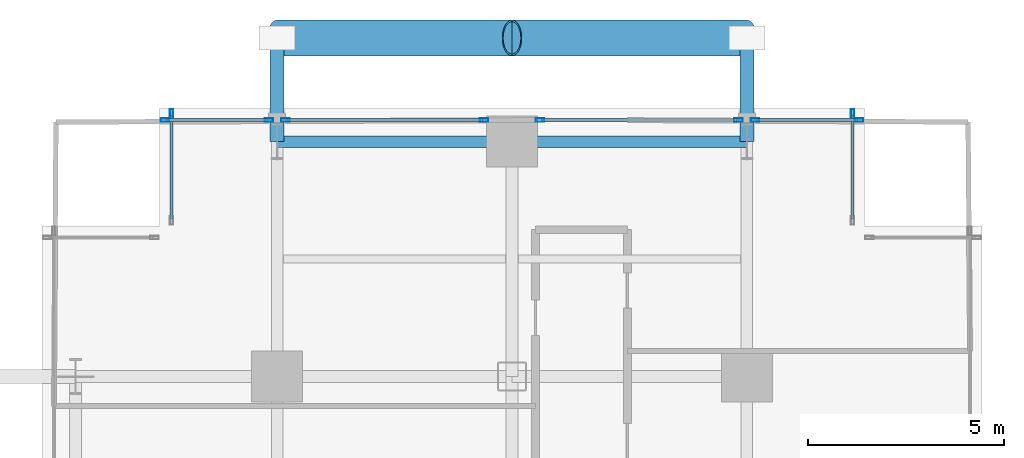
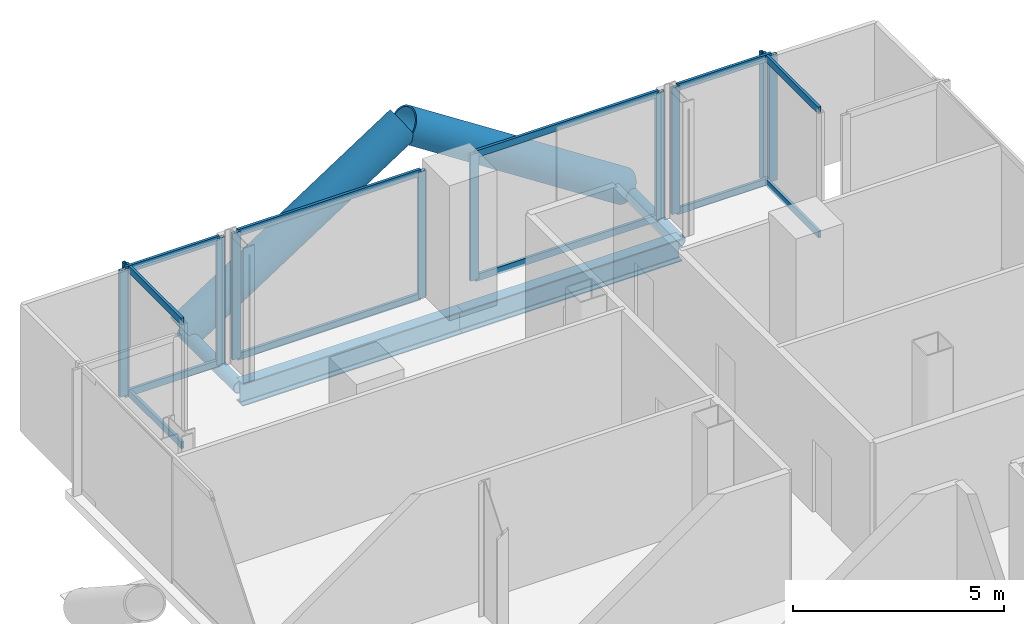
# One storey, part 16 of 25: 26 members, 2 beams, 6 elements without a shape of their own.
"""IFC4 building model written with IfcOpenShell, lengths in metres."""

from ifc_helpers import new_model, si_unit, direction, frame, origin, origin_2d, place, context, subcontext, project, spatial, hollow_rectangle, hollow_circle, i_section, extrude, material, layer, layer_set, material_profile, profile_set, type_object, element, aggregate, save


model = new_model("IFC4")

# Units and contexts
model_context = context("Model", 3, precision=1e-05, world=origin(), true_north=direction((0.0, 1.0)))
body_context = subcontext(model_context, "Body", "Model", "MODEL_VIEW")
ifc_project = project(units=[si_unit("LENGTHUNIT", "METRE"), si_unit("AREAUNIT", "SQUARE_METRE"), si_unit("VOLUMEUNIT", "CUBIC_METRE"), si_unit("PLANEANGLEUNIT", "RADIAN"), si_unit("MASSUNIT", "GRAM", prefix="KILO"), si_unit("THERMODYNAMICTEMPERATUREUNIT", "KELVIN"), si_unit("POWERUNIT", "WATT")], contexts=[model_context])

# Site, building, storey
site_placement = place(None, origin())
site = spatial("IfcSite", under=ifc_project, at=site_placement, CompositionType="ELEMENT")
building_placement = place(site_placement, origin())
building = spatial("IfcBuilding", under=site, at=building_placement, Name="Svarakhadi Broadcast Tower", CompositionType="ELEMENT")
storey_placement = place(building_placement, frame((0.0, 0.0, 48.0)))
storey = spatial("IfcBuildingStorey", under=building, at=storey_placement, Name="L10", CompositionType="ELEMENT", Elevation=48.0)

# Curtain wall, member
ifc_material_1 = material(Name="Anodised Bronze Aluminium AA 6063-T6", Category="aluminium")
ifc_layer = layer(ifc_material_1, 0.219970703125)
ifc_layer_set = layer_set([ifc_layer], Name="Anodised Bronze Aluminium AA 6063-T6")
curtain_wall_type = type_object("IfcCurtainWallType", Name="CW_Sys_02", PredefinedType="NOTDEFINED", material=ifc_layer_set)
curtain_wall_1_placement = place(storey_placement, origin())
curtain_wall_1 = element("IfcCurtainWall", 1, at=curtain_wall_1_placement, inside=storey, type_object=curtain_wall_type, Name="L10 Unitised Facade Curtain Wall 05", PredefinedType="NOTDEFINED")
ifc_material_profile_1 = material_profile(ifc_material_1, hollow_rectangle(XDim=0.0849609375, YDim=0.219970703125, WallThickness=0.006103515625, at=origin_2d()), Name="ALU MULLION 220x85x6")
ifc_profile_set_1 = profile_set([ifc_material_profile_1], Name="Anodised Bronze Aluminium AA 6063-T6")
member_type_1 = type_object("IfcMemberType", Name="CW_Sys_02_Mul", PredefinedType="MULLION", material=ifc_profile_set_1)
member_1_placement = place(storey_placement, frame((3.300048828125, 47.867431640625, 0.0), z_axis=(0.0, 0.0, 1.0), x_axis=(-1.0, 0.0, 0.0)))
member_1 = element("IfcMember", 2, at=member_1_placement, type_object=member_type_1, Name="CW-02 mullion 2", PredefinedType="MULLION", context=body_context, shape_type="SweptSolid", body=[
    extrude(hollow_rectangle(XDim=0.0849609375, YDim=0.219970703125, WallThickness=0.006103515625, at=origin_2d()), origin(), (0.0, 0.0, 1.0), 3.64990234375),
])

# Curtain wall, members
curtain_wall_2_placement = place(storey_placement, origin())
curtain_wall_2 = element("IfcCurtainWall", 3, at=curtain_wall_2_placement, inside=storey, type_object=curtain_wall_type, Name="L10 Unitised Facade Curtain Wall 06 Bay 1", PredefinedType="NOTDEFINED")
member_2_placement = place(storey_placement, frame((3.132568359375, 47.699951171875, 0.0), z_axis=(0.0, 0.0, 1.0), x_axis=(0.0, 1.0, 0.0)))
member_2 = element("IfcMember", 4, at=member_2_placement, type_object=member_type_1, Name="CW-02 mullion 1", PredefinedType="MULLION", context=body_context, shape_type="SweptSolid", body=[
    extrude(hollow_rectangle(XDim=0.0849609375, YDim=0.219970703125, WallThickness=0.006103515625, at=origin_2d()), origin(), (0.0, 0.0, 1.0), 3.64990234375),
])
member_3_placement = place(storey_placement, frame((5.78759765625, 47.699951171875, 0.0), z_axis=(0.0, 0.0, 1.0), x_axis=(0.0, 1.0, 0.0)))
member_3 = element("IfcMember", 5, at=member_3_placement, type_object=member_type_1, Name="CW-02 mullion 2", PredefinedType="MULLION", context=body_context, shape_type="SweptSolid", body=[
    extrude(hollow_rectangle(XDim=0.0849609375, YDim=0.219970703125, WallThickness=0.006103515625, at=origin_2d()), origin(), (0.0, 0.0, 1.0), 3.64990234375),
])

curtain_wall_3_placement = place(storey_placement, origin())
curtain_wall_3 = element("IfcCurtainWall", 6, at=curtain_wall_3_placement, inside=storey, type_object=curtain_wall_type, Name="L10 Unitised Facade Curtain Wall 06 Bay 2", PredefinedType="NOTDEFINED")
member_4_placement = place(storey_placement, frame((6.21240234375, 47.699951171875, 0.0), z_axis=(0.0, 0.0, 1.0), x_axis=(0.0, 1.0, 0.0)))
member_4 = element("IfcMember", 7, at=member_4_placement, type_object=member_type_1, Name="CW-02 mullion 1", PredefinedType="MULLION", context=body_context, shape_type="SweptSolid", body=[
    extrude(hollow_rectangle(XDim=0.0849609375, YDim=0.219970703125, WallThickness=0.006103515625, at=origin_2d()), origin(), (0.0, 0.0, 1.0), 3.64990234375),
])
member_5_placement = place(storey_placement, frame((11.28759765625, 47.699951171875, 0.0), z_axis=(0.0, 0.0, 1.0), x_axis=(0.0, 1.0, 0.0)))
member_5 = element("IfcMember", 8, at=member_5_placement, type_object=member_type_1, Name="CW-02 mullion 2", PredefinedType="MULLION", context=body_context, shape_type="SweptSolid", body=[
    extrude(hollow_rectangle(XDim=0.0849609375, YDim=0.219970703125, WallThickness=0.006103515625, at=origin_2d()), origin(), (0.0, 0.0, 1.0), 3.64990234375),
])

curtain_wall_4_placement = place(storey_placement, origin())
curtain_wall_4 = element("IfcCurtainWall", 9, at=curtain_wall_4_placement, inside=storey, type_object=curtain_wall_type, Name="L10 Unitised Facade Curtain Wall 06 Bay 3", PredefinedType="NOTDEFINED")
member_6_placement = place(storey_placement, frame((12.71240234375, 47.699951171875, 0.0), z_axis=(0.0, 0.0, 1.0), x_axis=(0.0, 1.0, 0.0)))
member_6 = element("IfcMember", 10, at=member_6_placement, type_object=member_type_1, Name="CW-02 mullion 1", PredefinedType="MULLION", context=body_context, shape_type="SweptSolid", body=[
    extrude(hollow_rectangle(XDim=0.0849609375, YDim=0.219970703125, WallThickness=0.006103515625, at=origin_2d()), origin(), (0.0, 0.0, 1.0), 3.64990234375),
])
member_7_placement = place(storey_placement, frame((17.78759765625, 47.699951171875, 0.0), z_axis=(0.0, 0.0, 1.0), x_axis=(0.0, 1.0, 0.0)))
member_7 = element("IfcMember", 11, at=member_7_placement, type_object=member_type_1, Name="CW-02 mullion 2", PredefinedType="MULLION", context=body_context, shape_type="SweptSolid", body=[
    extrude(hollow_rectangle(XDim=0.0849609375, YDim=0.219970703125, WallThickness=0.006103515625, at=origin_2d()), origin(), (0.0, 0.0, 1.0), 3.64990234375),
])

curtain_wall_5_placement = place(storey_placement, origin())
curtain_wall_5 = element("IfcCurtainWall", 12, at=curtain_wall_5_placement, inside=storey, type_object=curtain_wall_type, Name="L10 Unitised Facade Curtain Wall 06 Bay 4", PredefinedType="NOTDEFINED")
member_8_placement = place(storey_placement, frame((18.21240234375, 47.699951171875, 0.0), z_axis=(0.0, 0.0, 1.0), x_axis=(0.0, 1.0, 0.0)))
member_8 = element("IfcMember", 13, at=member_8_placement, type_object=member_type_1, Name="CW-02 mullion 1", PredefinedType="MULLION", context=body_context, shape_type="SweptSolid", body=[
    extrude(hollow_rectangle(XDim=0.0849609375, YDim=0.219970703125, WallThickness=0.006103515625, at=origin_2d()), origin(), (0.0, 0.0, 1.0), 3.64990234375),
])
member_9_placement = place(storey_placement, frame((20.867431640625, 47.699951171875, 0.0), z_axis=(0.0, 0.0, 1.0), x_axis=(0.0, 1.0, 0.0)))
member_9 = element("IfcMember", 14, at=member_9_placement, type_object=member_type_1, Name="CW-02 mullion 2", PredefinedType="MULLION", context=body_context, shape_type="SweptSolid", body=[
    extrude(hollow_rectangle(XDim=0.0849609375, YDim=0.219970703125, WallThickness=0.006103515625, at=origin_2d()), origin(), (0.0, 0.0, 1.0), 3.64990234375),
])

# Curtain wall, member
curtain_wall_6_placement = place(storey_placement, origin())
curtain_wall_6 = element("IfcCurtainWall", 15, at=curtain_wall_6_placement, inside=storey, type_object=curtain_wall_type, Name="L10 Unitised Facade Curtain Wall 07", PredefinedType="NOTDEFINED")
member_10_placement = place(storey_placement, frame((20.699951171875, 47.867431640625, 0.0), z_axis=(0.0, 0.0, 1.0), x_axis=(1.0, 0.0, 0.0)))
member_10 = element("IfcMember", 16, at=member_10_placement, type_object=member_type_1, Name="CW-02 mullion 1", PredefinedType="MULLION", context=body_context, shape_type="SweptSolid", body=[
    extrude(hollow_rectangle(XDim=0.0849609375, YDim=0.219970703125, WallThickness=0.006103515625, at=origin_2d()), origin(), (0.0, 0.0, 1.0), 3.64990234375),
])

# Member
ifc_material_profile_2 = material_profile(ifc_material_1, hollow_rectangle(XDim=0.074951171875, YDim=0.199951171875, WallThickness=0.0048828125, at=origin_2d()), Name="ALU TRANSOM 200x75x5")
ifc_profile_set_2 = profile_set([ifc_material_profile_2], Name="Anodised Bronze Aluminium AA 6063-T6")
member_type_2 = type_object("IfcMemberType", Name="CW_Sys_02_Trn", PredefinedType="USERDEFINED", material=ifc_profile_set_2)
member_11_placement = place(storey_placement, frame((3.300048828125, 45.175048828125, 0.03759765625), z_axis=(0.0, 1.0, 0.0), x_axis=(-1.0, 0.0, 0.0)))
member_11 = element("IfcMember", 17, at=member_11_placement, type_object=member_type_2, Name="CW-02 transom 1.1", ObjectType="TRANSOM", PredefinedType="USERDEFINED", context=body_context, shape_type="SweptSolid", body=[
    extrude(hollow_rectangle(XDim=0.074951171875, YDim=0.199951171875, WallThickness=0.0048828125, at=origin_2d()), origin(), (0.0, 0.0, 1.0), 2.64990234375),
])

member_12_placement = place(storey_placement, frame((3.300048828125, 45.175048828125, 3.612548828125), z_axis=(0.0, 1.0, 0.0), x_axis=(-1.0, 0.0, 0.0)))
member_12 = element("IfcMember", 18, at=member_12_placement, type_object=member_type_2, Name="CW-02 transom 1.2", ObjectType="TRANSOM", PredefinedType="USERDEFINED", context=body_context, shape_type="SweptSolid", body=[
    extrude(hollow_rectangle(XDim=0.074951171875, YDim=0.199951171875, WallThickness=0.0048828125, at=origin_2d()), origin(), (0.0, 0.0, 1.0), 2.64990234375),
])

aggregate(curtain_wall_1, [member_1, member_11, member_12])

member_13_placement = place(storey_placement, frame((3.175048828125, 47.699951171875, 0.03759765625), z_axis=(1.0, 0.0, 0.0), x_axis=(0.0, 1.0, 0.0)))
member_13 = element("IfcMember", 19, at=member_13_placement, type_object=member_type_2, Name="CW-02 transom 1.1", ObjectType="TRANSOM", PredefinedType="USERDEFINED", context=body_context, shape_type="SweptSolid", body=[
    extrude(hollow_rectangle(XDim=0.074951171875, YDim=0.199951171875, WallThickness=0.0048828125, at=origin_2d()), origin(), (0.0, 0.0, 1.0), 2.570068359375),
])

member_14_placement = place(storey_placement, frame((3.175048828125, 47.699951171875, 3.612548828125), z_axis=(1.0, 0.0, 0.0), x_axis=(0.0, 1.0, 0.0)))
member_14 = element("IfcMember", 20, at=member_14_placement, type_object=member_type_2, Name="CW-02 transom 1.2", ObjectType="TRANSOM", PredefinedType="USERDEFINED", context=body_context, shape_type="SweptSolid", body=[
    extrude(hollow_rectangle(XDim=0.074951171875, YDim=0.199951171875, WallThickness=0.0048828125, at=origin_2d()), origin(), (0.0, 0.0, 1.0), 2.570068359375),
])

aggregate(curtain_wall_2, [member_2, member_3, member_13, member_14])

member_15_placement = place(storey_placement, frame((6.2548828125, 47.699951171875, 0.03759765625), z_axis=(1.0, 0.0, 0.0), x_axis=(0.0, 1.0, 0.0)))
member_15 = element("IfcMember", 21, at=member_15_placement, type_object=member_type_2, Name="CW-02 transom 1.1", ObjectType="TRANSOM", PredefinedType="USERDEFINED", context=body_context, shape_type="SweptSolid", body=[
    extrude(hollow_rectangle(XDim=0.074951171875, YDim=0.199951171875, WallThickness=0.0048828125, at=origin_2d()), origin(), (0.0, 0.0, 1.0), 4.990234375),
])

member_16_placement = place(storey_placement, frame((6.2548828125, 47.699951171875, 3.612548828125), z_axis=(1.0, 0.0, 0.0), x_axis=(0.0, 1.0, 0.0)))
member_16 = element("IfcMember", 22, at=member_16_placement, type_object=member_type_2, Name="CW-02 transom 1.2", ObjectType="TRANSOM", PredefinedType="USERDEFINED", context=body_context, shape_type="SweptSolid", body=[
    extrude(hollow_rectangle(XDim=0.074951171875, YDim=0.199951171875, WallThickness=0.0048828125, at=origin_2d()), origin(), (0.0, 0.0, 1.0), 4.990234375),
])

aggregate(curtain_wall_3, [member_4, member_5, member_15, member_16])

member_17_placement = place(storey_placement, frame((12.7548828125, 47.699951171875, 0.03759765625), z_axis=(1.0, 0.0, 0.0), x_axis=(0.0, 1.0, 0.0)))
member_17 = element("IfcMember", 23, at=member_17_placement, type_object=member_type_2, Name="CW-02 transom 1.1", ObjectType="TRANSOM", PredefinedType="USERDEFINED", context=body_context, shape_type="SweptSolid", body=[
    extrude(hollow_rectangle(XDim=0.074951171875, YDim=0.199951171875, WallThickness=0.0048828125, at=origin_2d()), origin(), (0.0, 0.0, 1.0), 4.990234375),
])

member_18_placement = place(storey_placement, frame((12.7548828125, 47.699951171875, 3.612548828125), z_axis=(1.0, 0.0, 0.0), x_axis=(0.0, 1.0, 0.0)))
member_18 = element("IfcMember", 24, at=member_18_placement, type_object=member_type_2, Name="CW-02 transom 1.2", ObjectType="TRANSOM", PredefinedType="USERDEFINED", context=body_context, shape_type="SweptSolid", body=[
    extrude(hollow_rectangle(XDim=0.074951171875, YDim=0.199951171875, WallThickness=0.0048828125, at=origin_2d()), origin(), (0.0, 0.0, 1.0), 4.990234375),
])

aggregate(curtain_wall_4, [member_6, member_7, member_17, member_18])

member_19_placement = place(storey_placement, frame((18.2548828125, 47.699951171875, 0.03759765625), z_axis=(1.0, 0.0, 0.0), x_axis=(0.0, 1.0, 0.0)))
member_19 = element("IfcMember", 25, at=member_19_placement, type_object=member_type_2, Name="CW-02 transom 1.1", ObjectType="TRANSOM", PredefinedType="USERDEFINED", context=body_context, shape_type="SweptSolid", body=[
    extrude(hollow_rectangle(XDim=0.074951171875, YDim=0.199951171875, WallThickness=0.0048828125, at=origin_2d()), origin(), (0.0, 0.0, 1.0), 2.570068359375),
])

member_20_placement = place(storey_placement, frame((18.2548828125, 47.699951171875, 3.612548828125), z_axis=(1.0, 0.0, 0.0), x_axis=(0.0, 1.0, 0.0)))
member_20 = element("IfcMember", 26, at=member_20_placement, type_object=member_type_2, Name="CW-02 transom 1.2", ObjectType="TRANSOM", PredefinedType="USERDEFINED", context=body_context, shape_type="SweptSolid", body=[
    extrude(hollow_rectangle(XDim=0.074951171875, YDim=0.199951171875, WallThickness=0.0048828125, at=origin_2d()), origin(), (0.0, 0.0, 1.0), 2.570068359375),
])

aggregate(curtain_wall_5, [member_8, member_9, member_19, member_20])

member_21_placement = place(storey_placement, frame((20.699951171875, 47.824951171875, 0.03759765625), z_axis=(0.0, -1.0, 0.0), x_axis=(1.0, 0.0, 0.0)))
member_21 = element("IfcMember", 27, at=member_21_placement, type_object=member_type_2, Name="CW-02 transom 1.1", ObjectType="TRANSOM", PredefinedType="USERDEFINED", context=body_context, shape_type="SweptSolid", body=[
    extrude(hollow_rectangle(XDim=0.074951171875, YDim=0.199951171875, WallThickness=0.0048828125, at=origin_2d()), origin(), (0.0, 0.0, 1.0), 2.64990234375),
])

member_22_placement = place(storey_placement, frame((20.699951171875, 47.824951171875, 3.612548828125), z_axis=(0.0, -1.0, 0.0), x_axis=(1.0, 0.0, 0.0)))
member_22 = element("IfcMember", 28, at=member_22_placement, type_object=member_type_2, Name="CW-02 transom 1.2", ObjectType="TRANSOM", PredefinedType="USERDEFINED", context=body_context, shape_type="SweptSolid", body=[
    extrude(hollow_rectangle(XDim=0.074951171875, YDim=0.199951171875, WallThickness=0.0048828125, at=origin_2d()), origin(), (0.0, 0.0, 1.0), 2.64990234375),
])

aggregate(curtain_wall_6, [member_10, member_21, member_22])

# Members
ifc_material_2 = material(Name="Steel S460ML (IS 2062 E450BR)", Category="steel")
ifc_material_profile_3 = material_profile(ifc_material_2, hollow_circle(Radius=0.45703125, WallThickness=0.044921875, at=origin_2d()), Name="CHS 914x45")
ifc_profile_set_3 = profile_set([ifc_material_profile_3], Name="Steel S460ML (IS 2062 E450BR)")
member_type_3 = type_object("IfcMemberType", Name="Exo_Brace_CHS914", PredefinedType="BRACE", material=ifc_profile_set_3)
for number, where, z_axis, x_axis, name in (
    (29, (6.0, 49.800048828125, -0.427734375), (0.838449851971, 0.0, 0.544978757136), (0.0, 1.0, 0.0), "L10 Exposed Bronze Exoskeleton Diagonal N10"),
    (30, (18.0, 49.800048828125, -0.427734375), (-0.838449851971, 0.0, 0.544978757136), (0.0, -1.0, 0.0), "L10 Exposed Bronze Exoskeleton Diagonal N11"),
):
    element("IfcMember", number, at=place(storey_placement, frame(where, z_axis=z_axis, x_axis=x_axis)), inside=storey, type_object=member_type_3, Name=name, PredefinedType="BRACE", context=body_context, shape_type="SweptSolid", body=[
        extrude(hollow_circle(Radius=0.45703125, WallThickness=0.044921875, at=origin_2d()), origin(), (0.0, 0.0, 1.0), 7.156005859375),
    ])
ifc_material_profile_4 = material_profile(ifc_material_2, hollow_circle(Radius=0.177734375, WallThickness=0.02001953125, at=origin_2d()), Name="CHS 355.6x20")
ifc_profile_set_4 = profile_set([ifc_material_profile_4], Name="Steel S460ML (IS 2062 E450BR)")
member_type_4 = type_object("IfcMemberType", Name="Exo_Radial_Strut_Z1", PredefinedType="STRUT", material=ifc_profile_set_4)
for number, where, z_axis, x_axis, name in (
    (31, (6.0, 49.800048828125, -0.427734375), (0.0, -1.0, 0.0), (1.0, 0.0, 0.0), "L10 Exoskeleton Radial Tie Strut N11"),
    (32, (18.0, 49.800048828125, -0.427734375), (0.0, -1.0, 0.0), (1.0, 0.0, 0.0), "L10 Exoskeleton Radial Tie Strut N12"),
):
    element("IfcMember", number, at=place(storey_placement, frame(where, z_axis=z_axis, x_axis=x_axis)), inside=storey, type_object=member_type_4, Name=name, PredefinedType="STRUT", context=body_context, shape_type="SweptSolid", body=[
        extrude(hollow_circle(Radius=0.177734375, WallThickness=0.02001953125, at=origin_2d()), origin(), (0.0, 0.0, 1.0), 2.650146484375),
    ])

# Beams
ifc_material_3 = material(Name="Steel S355J2 (IS 2062 E350C)", Category="steel")
ifc_material_profile_5 = material_profile(ifc_material_3, i_section(OverallWidth=0.300048828125, OverallDepth=0.64990234375, WebThickness=0.01611328125, FlangeThickness=0.031005859375, FilletRadius=0.027099609375, at=origin_2d()), Name="WPB 650x300x225")
ifc_profile_set_5 = profile_set([ifc_material_profile_5], Name="Steel S355J2 (IS 2062 E350C)")
beam_type = type_object("IfcBeamType", Name="Girder_WPB650", PredefinedType="USERDEFINED", material=ifc_profile_set_5)
for number, where, z_axis, x_axis, name in (
    (33, (6.0, 47.14990234375, -0.574951171875), (1.0, 0.0, 0.0), (0.0, 1.0, 0.0), "L10 Primary E-W Girder G043"),
    (34, (12.0, 47.14990234375, -0.574951171875), (1.0, 0.0, 0.0), (0.0, 1.0, 0.0), "L10 Primary E-W Girder G044"),
):
    element("IfcBeam", number, at=place(storey_placement, frame(where, z_axis=z_axis, x_axis=x_axis)), inside=storey, type_object=beam_type, Name=name, ObjectType="GIRDER", PredefinedType="USERDEFINED", context=body_context, shape_type="SweptSolid", body=[
        extrude(i_section(OverallWidth=0.300048828125, OverallDepth=0.64990234375, WebThickness=0.01611328125, FlangeThickness=0.031005859375, FilletRadius=0.027099609375, at=origin_2d()), origin(), (0.0, 0.0, 1.0), 6.0),
    ])

save(model, "model.ifc")
